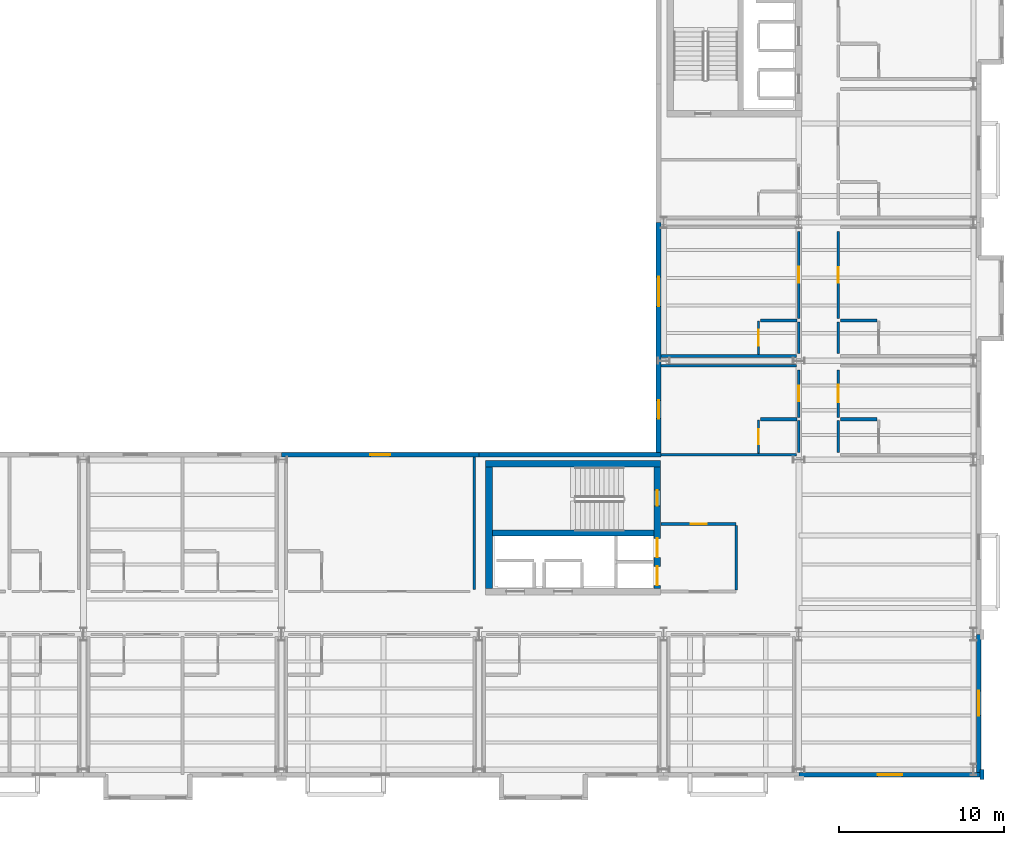
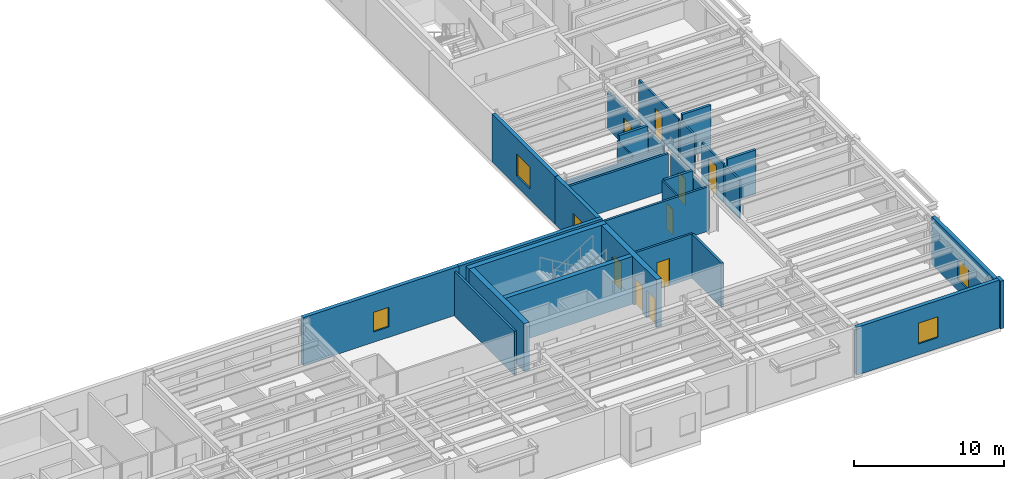
# One storey, part 48 of 59: 31 walls, 10 doors, 5 windows, 15 openings.
"""IFC4 building model written with IfcOpenShell, lengths in metres."""

from ifc_helpers import new_model, si_unit, direction, frame, frame_2d, origin, place, context, subcontext, project, spatial, rectangle, extrude, material, layer, layer_set, type_object, element, fill, save


model = new_model("IFC4")

# Units and contexts
model_context = context("Model", 3, precision=1e-05, world=origin(), true_north=direction((0.0, 1.0)))
body_context = subcontext(model_context, "Body", "Model", "MODEL_VIEW")
ifc_project = project(units=[si_unit("LENGTHUNIT", "METRE"), si_unit("AREAUNIT", "SQUARE_METRE"), si_unit("VOLUMEUNIT", "CUBIC_METRE"), si_unit("PLANEANGLEUNIT", "RADIAN"), si_unit("MASSUNIT", "GRAM", prefix="KILO")], contexts=[model_context])

# Site, building, storey
site_placement = place(None, origin())
site = spatial("IfcSite", under=ifc_project, at=site_placement, CompositionType="ELEMENT")
building_placement = place(site_placement, origin())
building = spatial("IfcBuilding", under=site, at=building_placement, Name="Sollismere Congress Hotel", CompositionType="ELEMENT")
storey_placement = place(building_placement, frame((0.0, 0.0, 15.60009765625)))
storey = spatial("IfcBuildingStorey", under=building, at=storey_placement, Name="L03", CompositionType="ELEMENT", Elevation=15.60009765625)

# Wall, opening, window
ifc_material_1 = material(Name="Colorado Buff Sandstone Rainscreen on Insulated Backup", Category="masonry")
ifc_layer_1 = layer(ifc_material_1, 0.284912109375, Name="Colorado Buff Sandstone Rainscreen on Insulated Backup")
ifc_layer_set_1 = layer_set([ifc_layer_1], Name="Colorado Buff Sandstone Rainscreen on Insulated Backup")
wall_type_1 = type_object("IfcWallType", Name="WL-EXT285", PredefinedType="STANDARD", material=ifc_layer_set_1)
wall_1_placement = place(storey_placement, frame((155.39990234375, -0.31005859375, 0.0), z_axis=(0.0, 0.0, 1.0), x_axis=(1.0, 0.0, 0.0)))
wall_1 = element("IfcWall", 1, at=wall_1_placement, inside=storey, type_object=wall_type_1, Name="Exterior wall EW-L03-431", PredefinedType="STANDARD", context=body_context, shape_type="SweptSolid", body=[
    extrude(rectangle(XDim=11.050048828125, YDim=0.284912109375, at=frame_2d((5.52490234375, 0.0))), origin(), (0.0, 0.0, 1.0), 3.89990234375),
])
opening_1_placement = place(wall_1_placement, frame((4.77490234375, 0.0, 0.8798828125)))
opening_1 = element("IfcOpeningElement", 2, at=opening_1_placement, cuts=wall_1, Name="Opening W-L03-336", PredefinedType="OPENING", context=body_context, shape_type="SweptSolid", body=[
    extrude(rectangle(XDim=1.5, YDim=1.699951171875, at=frame_2d((0.75, 0.85009765625))), frame((0.0, 0.15234375, 0.0), z_axis=(0.0, -1.0, 0.0), x_axis=(1.0, 0.0, 0.0)), (0.0, 0.0, 1.0), 0.304931640625),
])
ifc_material_2 = material(Name="Thermally Broken Bronze Aluminum & Low-E Glass", Category="aluminium")
window_type_1 = type_object("IfcWindowType", Name="WN-P150x170", PartitioningType="SINGLE_PANEL", PredefinedType="WINDOW", material=ifc_material_2)
window_1_placement = place(opening_1_placement, origin())
window_1 = element("IfcWindow", 3, at=window_1_placement, inside=storey, type_object=window_type_1, Name="WIN-W-L03-336", OverallHeight=1.699951171875, OverallWidth=1.5, PartitioningType="SINGLE_PANEL", PredefinedType="WINDOW", context=body_context, shape_type="SweptSolid", body=[
    extrude(rectangle(XDim=1.5, YDim=1.699951171875, at=frame_2d((0.75, 0.85009765625))), frame((0.0, 0.030029296875, 0.0), z_axis=(0.0, -1.0, 0.0), x_axis=(1.0, 0.0, 0.0)), (0.0, 0.0, 1.0), 0.06005859375),
])
fill(opening_1, window_1)

wall_2_placement = place(storey_placement, frame((166.31005859375, -0.16552734375, 0.0), z_axis=(0.0, 0.0, 1.0), x_axis=(0.0, 1.0, 0.0)))
wall_2 = element("IfcWall", 4, at=wall_2_placement, inside=storey, type_object=wall_type_1, Name="Exterior wall EW-L03-433", PredefinedType="STANDARD", context=body_context, shape_type="SweptSolid", body=[
    extrude(rectangle(XDim=8.365478515625, YDim=0.284912109375, at=frame_2d((4.1826171875, 0.0))), origin(), (0.0, 0.0, 1.0), 3.89990234375),
])
opening_2_placement = place(wall_2_placement, frame((3.4326171875, 0.0, 0.8798828125)))
opening_2 = element("IfcOpeningElement", 5, at=opening_2_placement, cuts=wall_2, Name="Opening W-L03-337", PredefinedType="OPENING", context=body_context, shape_type="SweptSolid", body=[
    extrude(rectangle(XDim=1.5, YDim=1.699951171875, at=frame_2d((0.75, 0.85009765625))), frame((0.0, 0.15234375, 0.0), z_axis=(0.0, -1.0, 0.0), x_axis=(1.0, 0.0, 0.0)), (0.0, 0.0, 1.0), 0.304931640625),
])
window_2_placement = place(opening_2_placement, origin())
window_2 = element("IfcWindow", 6, at=window_2_placement, inside=storey, type_object=window_type_1, Name="WIN-W-L03-337", OverallHeight=1.699951171875, OverallWidth=1.5, PartitioningType="SINGLE_PANEL", PredefinedType="WINDOW", context=body_context, shape_type="SweptSolid", body=[
    extrude(rectangle(XDim=1.5, YDim=1.699951171875, at=frame_2d((0.75, 0.85009765625))), frame((0.0, 0.030029296875, 0.0), z_axis=(0.0, -1.0, 0.0), x_axis=(1.0, 0.0, 0.0)), (0.0, 0.0, 1.0), 0.06005859375),
])
fill(opening_2, window_2)

wall_3_placement = place(storey_placement, frame((136.0, 19.110107421875, 0.0), z_axis=(0.0, 0.0, 1.0), x_axis=(-1.0, 0.0, 0.0)))
wall_3 = element("IfcWall", 7, at=wall_3_placement, inside=storey, type_object=wall_type_1, Name="Exterior wall EW-L03-465", PredefinedType="STANDARD", context=body_context, shape_type="SweptSolid", body=[
    extrude(rectangle(XDim=12.0, YDim=0.284912109375, at=frame_2d((6.0, 0.0))), origin(), (0.0, 0.0, 1.0), 3.89990234375),
])
opening_3_placement = place(wall_3_placement, frame((5.39990234375, 0.0, 0.85009765625)))
opening_3 = element("IfcOpeningElement", 8, at=opening_3_placement, cuts=wall_3, Name="Opening W-L03-357", PredefinedType="OPENING", context=body_context, shape_type="SweptSolid", body=[
    extrude(rectangle(XDim=1.199951171875, YDim=1.60009765625, at=frame_2d((0.60009765625, 0.800048828125))), frame((0.0, 0.15234375, 0.0), z_axis=(0.0, -1.0, 0.0), x_axis=(1.0, 0.0, 0.0)), (0.0, 0.0, 1.0), 0.304931640625),
])
window_type_2 = type_object("IfcWindowType", Name="WN-P120x160", PartitioningType="SINGLE_PANEL", PredefinedType="WINDOW", material=ifc_material_2)
window_3_placement = place(opening_3_placement, origin())
window_3 = element("IfcWindow", 9, at=window_3_placement, inside=storey, type_object=window_type_2, Name="WIN-W-L03-357", OverallHeight=1.60009765625, OverallWidth=1.199951171875, PartitioningType="SINGLE_PANEL", PredefinedType="WINDOW", context=body_context, shape_type="SweptSolid", body=[
    extrude(rectangle(XDim=1.199951171875, YDim=1.60009765625, at=frame_2d((0.60009765625, 0.800048828125))), frame((0.0, 0.030029296875, 0.0), z_axis=(0.0, -1.0, 0.0), x_axis=(1.0, 0.0, 0.0)), (0.0, 0.0, 1.0), 0.06005859375),
])
fill(opening_3, window_3)

# Wall
wall_4_placement = place(storey_placement, frame((147.030029296875, 19.110107421875, 0.0), z_axis=(0.0, 0.0, 1.0), x_axis=(-1.0, 0.0, 0.0)))
element("IfcWall", 10, at=wall_4_placement, inside=storey, type_object=wall_type_1, Name="Exterior wall EW-L03-466", PredefinedType="STANDARD", context=body_context, shape_type="SweptSolid", body=[
    extrude(rectangle(XDim=11.030029296875, YDim=0.284912109375, at=frame_2d((5.51513671875, 0.0))), origin(), (0.0, 0.0, 1.0), 3.89990234375),
])

# Wall, opening, window
wall_5_placement = place(storey_placement, frame((146.889892578125, 19.25439453125, 0.0), z_axis=(0.0, 0.0, 1.0), x_axis=(0.0, 1.0, 0.0)))
wall_5 = element("IfcWall", 11, at=wall_5_placement, inside=storey, type_object=wall_type_1, Name="Exterior wall EW-L03-467", PredefinedType="STANDARD", context=body_context, shape_type="SweptSolid", body=[
    extrude(rectangle(XDim=5.545654296875, YDim=0.284912109375, at=frame_2d((2.77294921875, 0.0))), origin(), (0.0, 0.0, 1.0), 3.89990234375),
])
opening_4_placement = place(wall_5_placement, frame((2.047607421875, 0.0, 0.85009765625)))
opening_4 = element("IfcOpeningElement", 12, at=opening_4_placement, cuts=wall_5, Name="Opening W-L03-358", PredefinedType="OPENING", context=body_context, shape_type="SweptSolid", body=[
    extrude(rectangle(XDim=1.10009765625, YDim=1.5, at=frame_2d((0.550048828125, 0.75))), frame((0.0, 0.15234375, 0.0), z_axis=(0.0, -1.0, 0.0), x_axis=(1.0, 0.0, 0.0)), (0.0, 0.0, 1.0), 0.304931640625),
])
window_type_3 = type_object("IfcWindowType", Name="WN-P110x150", PartitioningType="SINGLE_PANEL", PredefinedType="WINDOW", material=ifc_material_2)
window_4_placement = place(opening_4_placement, origin())
window_4 = element("IfcWindow", 13, at=window_4_placement, inside=storey, type_object=window_type_3, Name="WIN-W-L03-358", OverallHeight=1.5, OverallWidth=1.10009765625, PartitioningType="SINGLE_PANEL", PredefinedType="WINDOW", context=body_context, shape_type="SweptSolid", body=[
    extrude(rectangle(XDim=1.10009765625, YDim=1.5, at=frame_2d((0.550048828125, 0.75))), frame((0.0, 0.030029296875, 0.0), z_axis=(0.0, -1.0, 0.0), x_axis=(1.0, 0.0, 0.0)), (0.0, 0.0, 1.0), 0.06005859375),
])
fill(opening_4, window_4)

wall_6_placement = place(storey_placement, frame((146.889892578125, 24.800048828125, 0.0), z_axis=(0.0, 0.0, 1.0), x_axis=(0.0, 1.0, 0.0)))
wall_6 = element("IfcWall", 14, at=wall_6_placement, inside=storey, type_object=wall_type_1, Name="Exterior wall EW-L03-468", PredefinedType="STANDARD", context=body_context, shape_type="SweptSolid", body=[
    extrude(rectangle(XDim=8.39990234375, YDim=0.284912109375, at=frame_2d((4.199951171875, 0.0))), origin(), (0.0, 0.0, 1.0), 3.89990234375),
])
opening_5_placement = place(wall_6_placement, frame((3.300048828125, 0.0, 0.85009765625)))
opening_5 = element("IfcOpeningElement", 15, at=opening_5_placement, cuts=wall_6, Name="Opening W-L03-359", PredefinedType="OPENING", context=body_context, shape_type="SweptSolid", body=[
    extrude(rectangle(XDim=1.800048828125, YDim=1.800048828125, at=frame_2d((0.89990234375, 0.89990234375))), frame((0.0, 0.15234375, 0.0), z_axis=(0.0, -1.0, 0.0), x_axis=(1.0, 0.0, 0.0)), (0.0, 0.0, 1.0), 0.304931640625),
])
window_type_4 = type_object("IfcWindowType", Name="WN-P180x180", PartitioningType="SINGLE_PANEL", PredefinedType="WINDOW", material=ifc_material_2)
window_5_placement = place(opening_5_placement, origin())
window_5 = element("IfcWindow", 16, at=window_5_placement, inside=storey, type_object=window_type_4, Name="WIN-W-L03-359", OverallHeight=1.800048828125, OverallWidth=1.800048828125, PartitioningType="SINGLE_PANEL", PredefinedType="WINDOW", context=body_context, shape_type="SweptSolid", body=[
    extrude(rectangle(XDim=1.800048828125, YDim=1.800048828125, at=frame_2d((0.89990234375, 0.89990234375))), frame((0.0, 0.030029296875, 0.0), z_axis=(0.0, -1.0, 0.0), x_axis=(1.0, 0.0, 0.0)), (0.0, 0.0, 1.0), 0.06005859375),
])
fill(opening_5, window_5)

# Walls
ifc_material_3 = material(Name="Carved Travertine Pilaster & Frieze Assembly", Category="masonry")
ifc_layer_2 = layer(ifc_material_3, 0.260009765625, Name="Carved Travertine Pilaster & Frieze Assembly")
ifc_layer_set_2 = layer_set([ifc_layer_2], Name="Carved Travertine Pilaster & Frieze Assembly")
wall_type_2 = type_object("IfcWallType", Name="WL-PIL280", PredefinedType="ELEMENTEDWALL", material=ifc_layer_set_2)
wall_7_placement = place(storey_placement, frame((166.52001953125, -0.610107421875, 0.0), z_axis=(0.0, 0.0, 1.0), x_axis=(0.0, 1.0, 0.0)))
element("IfcWall", 17, at=wall_7_placement, inside=storey, type_object=wall_type_2, Name="Exterior wall EW-L03-434", PredefinedType="ELEMENTEDWALL", context=body_context, shape_type="SweptSolid", body=[
    extrude(rectangle(XDim=0.60009765625, YDim=0.260009765625, at=frame_2d((0.300048828125, 0.0))), origin(), (0.0, 0.0, 1.0), 3.89990234375),
])
ifc_material_4 = material(Name="Moisture-Resistant Shaft Gypsum Assembly")
ifc_layer_3 = layer(ifc_material_4, 0.199951171875, Name="Moisture-Resistant Shaft Gypsum Assembly")
ifc_layer_set_3 = layer_set([ifc_layer_3], Name="Moisture-Resistant Shaft Gypsum Assembly")
wall_type_3 = type_object("IfcWallType", Name="WL-PLM200", PredefinedType="PLUMBINGWALL", material=ifc_layer_set_3)
for number, where, z_axis, x_axis, name in (
    (18, (157.919921875, 21.25, 0.0), (0.0, 0.0, 1.0), (1.0, 0.0, 0.0), "Interior wall IW-L03-1375"),
    (19, (153.070068359375, 21.25, 0.0), (0.0, 0.0, 1.0), (1.0, 0.0, 0.0), "Interior wall IW-L03-1381"),
    (20, (157.919921875, 27.25, 0.0), (0.0, 0.0, 1.0), (1.0, 0.0, 0.0), "Interior wall IW-L03-1387"),
    (21, (153.070068359375, 27.25, 0.0), (0.0, 0.0, 1.0), (1.0, 0.0, 0.0), "Interior wall IW-L03-1393"),
):
    element("IfcWall", number, at=place(storey_placement, frame(where, z_axis=z_axis, x_axis=x_axis)), inside=storey, type_object=wall_type_3, Name=name, PredefinedType="PLUMBINGWALL", context=body_context, shape_type="SweptSolid", body=[
        extrude(rectangle(XDim=2.2099609375, YDim=0.199951171875, at=frame_2d((1.10498046875, 0.0))), origin(), (0.0, 0.0, 1.0), 3.599853515625),
    ])

# Wall, opening, door
ifc_material_5 = material(Name="Moisture-Resistant Gypsum Partition")
ifc_layer_4 = layer(ifc_material_5, 0.10009765625, Name="Moisture-Resistant Gypsum Partition")
ifc_layer_set_4 = layer_set([ifc_layer_4], Name="Moisture-Resistant Gypsum Partition")
wall_type_4 = type_object("IfcWallType", Name="WL-PRT100", PredefinedType="PARTITIONING", material=ifc_layer_set_4)
wall_8_placement = place(storey_placement, frame((152.949951171875, 19.194580078125, 0.0), z_axis=(0.0, 0.0, 1.0), x_axis=(0.0, 1.0, 0.0)))
wall_8 = element("IfcWall", 22, at=wall_8_placement, inside=storey, type_object=wall_type_4, Name="Interior wall IW-L03-1382", PredefinedType="PARTITIONING", context=body_context, shape_type="SweptSolid", body=[
    extrude(rectangle(XDim=2.015380859375, YDim=0.10009765625, at=frame_2d((1.0078125, 0.0))), origin(), (0.0, 0.0, 1.0), 3.599853515625),
])
opening_6_placement = place(wall_8_placement, frame((0.554931640625, 0.0, 0.0)))
opening_6 = element("IfcOpeningElement", 23, at=opening_6_placement, cuts=wall_8, Name="Opening D-L03-0488", PredefinedType="OPENING", context=body_context, shape_type="SweptSolid", body=[
    extrude(rectangle(XDim=0.905029296875, YDim=2.10009765625, at=frame_2d((0.45263671875, 1.050048828125))), frame((0.0, 0.06005859375, 0.0), z_axis=(0.0, -1.0, 0.0), x_axis=(1.0, 0.0, 0.0)), (0.0, 0.0, 1.0), 0.1201171875),
])
ifc_material_6 = material(Name="Moisture-Sealed Timber Bathroom Door", Category="wood")
door_type_1 = type_object("IfcDoorType", Name="DR-BT02", OperationType="NOTDEFINED", PredefinedType="DOOR", material=ifc_material_6)
door_1_placement = place(opening_6_placement, origin())
door_1 = element("IfcDoor", 24, at=door_1_placement, inside=storey, type_object=door_type_1, Name="En-suite bathroom door D-L03-0488", OperationType="SINGLE_SWING_LEFT", OverallHeight=2.10009765625, OverallWidth=0.905029296875, PredefinedType="DOOR", context=body_context, shape_type="SweptSolid", body=[
    extrude(rectangle(XDim=0.905029296875, YDim=2.10009765625, at=frame_2d((0.45263671875, 1.050048828125))), frame((0.0, 0.02490234375, 0.0), z_axis=(0.0, -1.0, 0.0), x_axis=(1.0, 0.0, 0.0)), (0.0, 0.0, 1.0), 0.050048828125),
])
fill(opening_6, door_1)

wall_9_placement = place(storey_placement, frame((152.949951171875, 25.194580078125, 0.0), z_axis=(0.0, 0.0, 1.0), x_axis=(0.0, 1.0, 0.0)))
wall_9 = element("IfcWall", 25, at=wall_9_placement, inside=storey, type_object=wall_type_4, Name="Interior wall IW-L03-1394", PredefinedType="PARTITIONING", context=body_context, shape_type="SweptSolid", body=[
    extrude(rectangle(XDim=2.015380859375, YDim=0.10009765625, at=frame_2d((1.0078125, 0.0))), origin(), (0.0, 0.0, 1.0), 3.2080078125),
])
opening_7_placement = place(wall_9_placement, frame((0.530029296875, 0.0, 0.0)))
opening_7 = element("IfcOpeningElement", 26, at=opening_7_placement, cuts=wall_9, Name="Opening D-L03-0492", PredefinedType="OPENING", context=body_context, shape_type="SweptSolid", body=[
    extrude(rectangle(XDim=0.955078125, YDim=2.139892578125, at=frame_2d((0.4775390625, 1.06982421875))), frame((0.0, 0.06005859375, 0.0), z_axis=(0.0, -1.0, 0.0), x_axis=(1.0, 0.0, 0.0)), (0.0, 0.0, 1.0), 0.1201171875),
])
door_type_2 = type_object("IfcDoorType", Name="DR-BT04", OperationType="NOTDEFINED", PredefinedType="DOOR", material=ifc_material_6)
door_2_placement = place(opening_7_placement, origin())
door_2 = element("IfcDoor", 27, at=door_2_placement, inside=storey, type_object=door_type_2, Name="En-suite bathroom door D-L03-0492", OperationType="SINGLE_SWING_LEFT", OverallHeight=2.139892578125, OverallWidth=0.955078125, PredefinedType="DOOR", context=body_context, shape_type="SweptSolid", body=[
    extrude(rectangle(XDim=0.955078125, YDim=2.139892578125, at=frame_2d((0.4775390625, 1.06982421875))), frame((0.0, 0.02490234375, 0.0), z_axis=(0.0, -1.0, 0.0), x_axis=(1.0, 0.0, 0.0)), (0.0, 0.0, 1.0), 0.050048828125),
])
fill(opening_7, door_2)

# Wall
ifc_material_7 = material(Name="Fire-Rated Gypsum Partition")
ifc_layer_5 = layer(ifc_material_7, 0.139892578125, Name="Fire-Rated Gypsum Partition")
ifc_layer_set_5 = layer_set([ifc_layer_5], Name="Fire-Rated Gypsum Partition")
wall_type_5 = type_object("IfcWallType", Name="WL-PRT140R", PredefinedType="PARTITIONING", material=ifc_layer_set_5)
wall_10_placement = place(storey_placement, frame((157.800048828125, 19.239990234375, 0.0), z_axis=(0.0, 0.0, 1.0), x_axis=(0.0, 1.0, 0.0)))
element("IfcWall", 28, at=wall_10_placement, inside=storey, type_object=wall_type_5, Name="Interior wall IW-L03-1371", PredefinedType="PARTITIONING", context=body_context, shape_type="SweptSolid", body=[
    extrude(rectangle(XDim=1.929931640625, YDim=0.139892578125, at=frame_2d((0.96484375, 0.0))), origin(), (0.0, 0.0, 1.0), 3.157958984375),
])

# Wall, opening, door
wall_11_placement = place(storey_placement, frame((157.800048828125, 21.3701171875, 0.0), z_axis=(0.0, 0.0, 1.0), x_axis=(0.0, 1.0, 0.0)))
wall_11 = element("IfcWall", 29, at=wall_11_placement, inside=storey, type_object=wall_type_5, Name="Interior wall IW-L03-1372", PredefinedType="PARTITIONING", context=body_context, shape_type="SweptSolid", body=[
    extrude(rectangle(XDim=2.889892578125, YDim=0.139892578125, at=frame_2d((1.44482421875, 0.0))), origin(), (0.0, 0.0, 1.0), 3.157958984375),
])
opening_8_placement = place(wall_11_placement, frame((0.909912109375, 0.0, 0.0)))
opening_8 = element("IfcOpeningElement", 30, at=opening_8_placement, cuts=wall_11, Name="Opening D-L03-0485", PredefinedType="OPENING", context=body_context, shape_type="SweptSolid", body=[
    extrude(rectangle(XDim=1.070068359375, YDim=2.39990234375, at=frame_2d((0.53515625, 1.199951171875))), frame((0.0, 0.079833984375, 0.0), z_axis=(0.0, -1.0, 0.0), x_axis=(1.0, 0.0, 0.0)), (0.0, 0.0, 1.0), 0.159912109375),
])
ifc_material_8 = material(Name="Solid-Core Acoustic Walnut Guestroom Entry Door")
door_type_3 = type_object("IfcDoorType", Name="DR-KY12", OperationType="NOTDEFINED", PredefinedType="DOOR", material=ifc_material_8)
door_3_placement = place(opening_8_placement, origin())
door_3 = element("IfcDoor", 31, at=door_3_placement, inside=storey, type_object=door_type_3, Name="Hotel room entry door D-L03-0485", OperationType="SINGLE_SWING_RIGHT", OverallHeight=2.39990234375, OverallWidth=1.070068359375, PredefinedType="DOOR", context=body_context, shape_type="SweptSolid", body=[
    extrude(rectangle(XDim=1.070068359375, YDim=2.39990234375, at=frame_2d((0.53515625, 1.199951171875))), frame((0.0, 0.02490234375, 0.0), z_axis=(0.0, -1.0, 0.0), x_axis=(1.0, 0.0, 0.0)), (0.0, 0.0, 1.0), 0.050048828125),
])
fill(opening_8, door_3)

# Wall
wall_12_placement = place(storey_placement, frame((155.39990234375, 19.239990234375, 0.0), z_axis=(0.0, 0.0, 1.0), x_axis=(0.0, 1.0, 0.0)))
element("IfcWall", 32, at=wall_12_placement, inside=storey, type_object=wall_type_5, Name="Interior wall IW-L03-1377", PredefinedType="PARTITIONING", context=body_context, shape_type="SweptSolid", body=[
    extrude(rectangle(XDim=1.929931640625, YDim=0.139892578125, at=frame_2d((0.96484375, 0.0))), origin(), (0.0, 0.0, 1.0), 3.073974609375),
])

# Wall, opening, door
wall_13_placement = place(storey_placement, frame((155.39990234375, 21.3701171875, 0.0), z_axis=(0.0, 0.0, 1.0), x_axis=(0.0, 1.0, 0.0)))
wall_13 = element("IfcWall", 33, at=wall_13_placement, inside=storey, type_object=wall_type_5, Name="Interior wall IW-L03-1378", PredefinedType="PARTITIONING", context=body_context, shape_type="SweptSolid", body=[
    extrude(rectangle(XDim=2.889892578125, YDim=0.139892578125, at=frame_2d((1.44482421875, 0.0))), origin(), (0.0, 0.0, 1.0), 3.073974609375),
])
opening_9_placement = place(wall_13_placement, frame((0.985107421875, 0.0, 0.0)))
opening_9 = element("IfcOpeningElement", 34, at=opening_9_placement, cuts=wall_13, Name="Opening D-L03-0487", PredefinedType="OPENING", context=body_context, shape_type="SweptSolid", body=[
    extrude(rectangle(XDim=0.919921875, YDim=2.14990234375, at=frame_2d((0.4599609375, 1.074951171875))), frame((0.0, 0.079833984375, 0.0), z_axis=(0.0, -1.0, 0.0), x_axis=(1.0, 0.0, 0.0)), (0.0, 0.0, 1.0), 0.159912109375),
])
door_type_4 = type_object("IfcDoorType", Name="DR-KY01", OperationType="NOTDEFINED", PredefinedType="DOOR", material=ifc_material_8)
door_4_placement = place(opening_9_placement, origin())
door_4 = element("IfcDoor", 35, at=door_4_placement, inside=storey, type_object=door_type_4, Name="Hotel room entry door D-L03-0487", OperationType="SINGLE_SWING_RIGHT", OverallHeight=2.14990234375, OverallWidth=0.919921875, PredefinedType="DOOR", context=body_context, shape_type="SweptSolid", body=[
    extrude(rectangle(XDim=0.919921875, YDim=2.14990234375, at=frame_2d((0.4599609375, 1.074951171875))), frame((0.0, 0.02490234375, 0.0), z_axis=(0.0, -1.0, 0.0), x_axis=(1.0, 0.0, 0.0)), (0.0, 0.0, 1.0), 0.050048828125),
])
fill(opening_9, door_4)

# Wall
wall_14_placement = place(storey_placement, frame((157.800048828125, 25.239990234375, 0.0), z_axis=(0.0, 0.0, 1.0), x_axis=(0.0, 1.0, 0.0)))
element("IfcWall", 36, at=wall_14_placement, inside=storey, type_object=wall_type_5, Name="Interior wall IW-L03-1383", PredefinedType="PARTITIONING", context=body_context, shape_type="SweptSolid", body=[
    extrude(rectangle(XDim=1.929931640625, YDim=0.139892578125, at=frame_2d((0.96484375, 0.0))), origin(), (0.0, 0.0, 1.0), 3.157958984375),
])

# Wall, opening, door
wall_15_placement = place(storey_placement, frame((157.800048828125, 27.3701171875, 0.0), z_axis=(0.0, 0.0, 1.0), x_axis=(0.0, 1.0, 0.0)))
wall_15 = element("IfcWall", 37, at=wall_15_placement, inside=storey, type_object=wall_type_5, Name="Interior wall IW-L03-1384", PredefinedType="PARTITIONING", context=body_context, shape_type="SweptSolid", body=[
    extrude(rectangle(XDim=5.289794921875, YDim=0.139892578125, at=frame_2d((2.64501953125, 0.0))), origin(), (0.0, 0.0, 1.0), 3.157958984375),
])
opening_10_placement = place(wall_15_placement, frame((2.169921875, 0.0, 0.0)))
opening_10 = element("IfcOpeningElement", 38, at=opening_10_placement, cuts=wall_15, Name="Opening D-L03-0489", PredefinedType="OPENING", context=body_context, shape_type="SweptSolid", body=[
    extrude(rectangle(XDim=0.949951171875, YDim=2.14990234375, at=frame_2d((0.47509765625, 1.074951171875))), frame((0.0, 0.079833984375, 0.0), z_axis=(0.0, -1.0, 0.0), x_axis=(1.0, 0.0, 0.0)), (0.0, 0.0, 1.0), 0.159912109375),
])
door_type_5 = type_object("IfcDoorType", Name="DR-KY02", OperationType="NOTDEFINED", PredefinedType="DOOR", material=ifc_material_8)
door_5_placement = place(opening_10_placement, origin())
door_5 = element("IfcDoor", 39, at=door_5_placement, inside=storey, type_object=door_type_5, Name="Hotel room entry door D-L03-0489", OperationType="SINGLE_SWING_RIGHT", OverallHeight=2.14990234375, OverallWidth=0.949951171875, PredefinedType="DOOR", context=body_context, shape_type="SweptSolid", body=[
    extrude(rectangle(XDim=0.949951171875, YDim=2.14990234375, at=frame_2d((0.47509765625, 1.074951171875))), frame((0.0, 0.02490234375, 0.0), z_axis=(0.0, -1.0, 0.0), x_axis=(1.0, 0.0, 0.0)), (0.0, 0.0, 1.0), 0.050048828125),
])
fill(opening_10, door_5)

# Wall
wall_16_placement = place(storey_placement, frame((155.39990234375, 25.239990234375, 0.0), z_axis=(0.0, 0.0, 1.0), x_axis=(0.0, 1.0, 0.0)))
element("IfcWall", 40, at=wall_16_placement, inside=storey, type_object=wall_type_5, Name="Interior wall IW-L03-1389", PredefinedType="PARTITIONING", context=body_context, shape_type="SweptSolid", body=[
    extrude(rectangle(XDim=1.929931640625, YDim=0.139892578125, at=frame_2d((0.96484375, 0.0))), origin(), (0.0, 0.0, 1.0), 3.073974609375),
])

# Wall, opening, door
wall_17_placement = place(storey_placement, frame((155.39990234375, 27.3701171875, 0.0), z_axis=(0.0, 0.0, 1.0), x_axis=(0.0, 1.0, 0.0)))
wall_17 = element("IfcWall", 41, at=wall_17_placement, inside=storey, type_object=wall_type_5, Name="Interior wall IW-L03-1390", PredefinedType="PARTITIONING", context=body_context, shape_type="SweptSolid", body=[
    extrude(rectangle(XDim=5.289794921875, YDim=0.139892578125, at=frame_2d((2.64501953125, 0.0))), origin(), (0.0, 0.0, 1.0), 3.073974609375),
])
opening_11_placement = place(wall_17_placement, frame((2.155029296875, 0.0, 0.0)))
opening_11 = element("IfcOpeningElement", 42, at=opening_11_placement, cuts=wall_17, Name="Opening D-L03-0491", PredefinedType="OPENING", context=body_context, shape_type="SweptSolid", body=[
    extrude(rectangle(XDim=0.97998046875, YDim=2.199951171875, at=frame_2d((0.489990234375, 1.10009765625))), frame((0.0, 0.079833984375, 0.0), z_axis=(0.0, -1.0, 0.0), x_axis=(1.0, 0.0, 0.0)), (0.0, 0.0, 1.0), 0.159912109375),
])
door_type_6 = type_object("IfcDoorType", Name="DR-KY03", OperationType="NOTDEFINED", PredefinedType="DOOR", material=ifc_material_8)
door_6_placement = place(opening_11_placement, origin())
door_6 = element("IfcDoor", 43, at=door_6_placement, inside=storey, type_object=door_type_6, Name="Hotel room entry door D-L03-0491", OperationType="SINGLE_SWING_RIGHT", OverallHeight=2.199951171875, OverallWidth=0.97998046875, PredefinedType="DOOR", context=body_context, shape_type="SweptSolid", body=[
    extrude(rectangle(XDim=0.97998046875, YDim=2.199951171875, at=frame_2d((0.489990234375, 1.10009765625))), frame((0.0, 0.02490234375, 0.0), z_axis=(0.0, -1.0, 0.0), x_axis=(1.0, 0.0, 0.0)), (0.0, 0.0, 1.0), 0.050048828125),
])
fill(opening_11, door_6)

ifc_material_9 = material(Name="Fire-Rated Acoustic Gypsum Partition")
ifc_layer_6 = layer(ifc_material_9, 0.1650390625, Name="Fire-Rated Acoustic Gypsum Partition")
ifc_layer_set_6 = layer_set([ifc_layer_6], Name="Fire-Rated Acoustic Gypsum Partition")
wall_type_6 = type_object("IfcWallType", Name="WL-PRT165R", PredefinedType="PARTITIONING", material=ifc_layer_set_6)
wall_18_placement = place(storey_placement, frame((147.050048828125, 14.89990234375, 0.0), z_axis=(0.0, 0.0, 1.0), x_axis=(1.0, 0.0, 0.0)))
wall_18 = element("IfcWall", 44, at=wall_18_placement, inside=storey, type_object=wall_type_6, Name="Interior wall IW-L03-0079", PredefinedType="PARTITIONING", context=body_context, shape_type="SweptSolid", body=[
    extrude(rectangle(XDim=4.550048828125, YDim=0.1650390625, at=frame_2d((2.27490234375, 0.0))), origin(), (0.0, 0.0, 1.0), 3.599853515625),
])
opening_12_placement = place(wall_18_placement, frame((1.800048828125, 0.0, 0.0)))
opening_12 = element("IfcOpeningElement", 45, at=opening_12_placement, cuts=wall_18, Name="Opening D-FFS-L03", PredefinedType="OPENING", context=body_context, shape_type="SweptSolid", body=[
    extrude(rectangle(XDim=0.949951171875, YDim=2.199951171875, at=frame_2d((0.47509765625, 1.10009765625))), frame((0.0, 0.092529296875, 0.0), z_axis=(0.0, -1.0, 0.0), x_axis=(1.0, 0.0, 0.0)), (0.0, 0.0, 1.0), 0.18505859375),
])
ifc_material_10 = material(Name="Fire-Rated Insulated Steel Door", Category="steel")
door_type_7 = type_object("IfcDoorType", Name="DR-FD90", OperationType="NOTDEFINED", PredefinedType="DOOR", material=ifc_material_10)
door_7_placement = place(opening_12_placement, origin())
door_7 = element("IfcDoor", 46, at=door_7_placement, inside=storey, type_object=door_type_7, Name="Firefighting stair vestibule door D-FFS-L03", OperationType="SINGLE_SWING_LEFT", OverallHeight=2.199951171875, OverallWidth=0.949951171875, PredefinedType="DOOR", context=body_context, shape_type="SweptSolid", body=[
    extrude(rectangle(XDim=0.949951171875, YDim=2.199951171875, at=frame_2d((0.47509765625, 1.10009765625))), frame((0.0, 0.02490234375, 0.0), z_axis=(0.0, -1.0, 0.0), x_axis=(1.0, 0.0, 0.0)), (0.0, 0.0, 1.0), 0.050048828125),
])
fill(opening_12, door_7)

# Walls
wall_19_placement = place(storey_placement, frame((151.60009765625, 10.89453125, 0.0), z_axis=(0.0, 0.0, 1.0), x_axis=(0.0, 1.0, 0.0)))
element("IfcWall", 47, at=wall_19_placement, inside=storey, type_object=wall_type_6, Name="Interior wall IW-L03-0080", PredefinedType="PARTITIONING", context=body_context, shape_type="SweptSolid", body=[
    extrude(rectangle(XDim=3.910888671875, YDim=0.1650390625, at=frame_2d((1.95556640625, 0.0))), origin(), (0.0, 0.0, 1.0), 3.599853515625),
])
wall_20_placement = place(storey_placement, frame((135.699951171875, 10.93994140625, 0.0), z_axis=(0.0, 0.0, 1.0), x_axis=(0.0, 1.0, 0.0)))
element("IfcWall", 48, at=wall_20_placement, inside=storey, type_object=wall_type_6, Name="Interior wall IW-L03-1356", PredefinedType="PARTITIONING", context=body_context, shape_type="SweptSolid", body=[
    extrude(rectangle(XDim=8.012451171875, YDim=0.1650390625, at=frame_2d((4.00634765625, 0.0))), origin(), (0.0, 0.0, 1.0), 3.599853515625),
])
wall_21_placement = place(storey_placement, frame((147.0400390625, 19.10009765625, 0.0), z_axis=(0.0, 0.0, 1.0), x_axis=(1.0, 0.0, 0.0)))
element("IfcWall", 49, at=wall_21_placement, inside=storey, type_object=wall_type_6, Name="Interior wall IW-L03-1379", PredefinedType="PARTITIONING", context=body_context, shape_type="SweptSolid", body=[
    extrude(rectangle(XDim=8.219970703125, YDim=0.1650390625, at=frame_2d((4.10986328125, 0.0))), origin(), (0.0, 0.0, 1.0), 3.599853515625),
])
for number, where, z_axis, x_axis, name in (
    (50, (147.047607421875, 24.5, 0.0), (0.0, 0.0, 1.0), (1.0, 0.0, 0.0), "Interior wall IW-L03-1380"),
    (51, (147.047607421875, 25.10009765625, 0.0), (0.0, 0.0, 1.0), (1.0, 0.0, 0.0), "Interior wall IW-L03-1391"),
):
    element("IfcWall", number, at=place(storey_placement, frame(where, z_axis=z_axis, x_axis=x_axis)), inside=storey, type_object=wall_type_6, Name=name, PredefinedType="PARTITIONING", context=body_context, shape_type="SweptSolid", body=[
        extrude(rectangle(XDim=8.21240234375, YDim=0.1650390625, at=frame_2d((4.106201171875, 0.0))), origin(), (0.0, 0.0, 1.0), 3.012939453125),
    ])
ifc_material_11 = material(Name="Concrete C50/60", Category="concrete")
ifc_layer_7 = layer(ifc_material_11, 0.35009765625, Name="Concrete C50/60")
ifc_layer_set_7 = layer_set([ifc_layer_7], Name="Concrete C50/60")
wall_type_7 = type_object("IfcWallType", Name="WL-SHR350", PredefinedType="SHEAR", material=ifc_layer_set_7)
wall_22_placement = place(storey_placement, frame((136.800048828125, 14.35009765625, 0.0), z_axis=(0.0, 0.0, 1.0), x_axis=(1.0, 0.0, 0.0)))
element("IfcWall", 52, at=wall_22_placement, inside=storey, type_object=wall_type_7, Name="Interior wall IW-L03-0069", PredefinedType="SHEAR", context=body_context, shape_type="SweptSolid", body=[
    extrude(rectangle(XDim=9.800048828125, YDim=0.35009765625, at=frame_2d((4.89990234375, 0.0))), origin(), (0.0, 0.0, 1.0), 3.89990234375),
])
ifc_layer_8 = layer(ifc_material_11, 0.39990234375, Name="Concrete C50/60")
ifc_layer_set_8 = layer_set([ifc_layer_8], Name="Concrete C50/60")
wall_type_8 = type_object("IfcWallType", Name="WL-SHR400", PredefinedType="SHEAR", material=ifc_layer_set_8)
wall_23_placement = place(storey_placement, frame((147.0, 18.550048828125, 0.0), z_axis=(0.0, 0.0, 1.0), x_axis=(-1.0, 0.0, 0.0)))
element("IfcWall", 53, at=wall_23_placement, inside=storey, type_object=wall_type_8, Name="Interior wall IW-L03-0066", PredefinedType="SHEAR", context=body_context, shape_type="SweptSolid", body=[
    extrude(rectangle(XDim=10.60009765625, YDim=0.39990234375, at=frame_2d((5.300048828125, 0.0))), origin(), (0.0, 0.0, 1.0), 3.89990234375),
])
wall_24_placement = place(storey_placement, frame((136.60009765625, 18.35009765625, 0.0), z_axis=(0.0, 0.0, 1.0), x_axis=(0.0, -1.0, 0.0)))
element("IfcWall", 54, at=wall_24_placement, inside=storey, type_object=wall_type_8, Name="Interior wall IW-L03-0067", PredefinedType="SHEAR", context=body_context, shape_type="SweptSolid", body=[
    extrude(rectangle(XDim=7.35009765625, YDim=0.39990234375, at=frame_2d((3.675048828125, 0.0))), origin(), (0.0, 0.0, 1.0), 3.89990234375),
])

# Wall, openings, doors
wall_25_placement = place(storey_placement, frame((146.800048828125, 11.0, 0.0), z_axis=(0.0, 0.0, 1.0), x_axis=(0.0, 1.0, 0.0)))
wall_25 = element("IfcWall", 55, at=wall_25_placement, inside=storey, type_object=wall_type_8, Name="Interior wall IW-L03-0068", PredefinedType="SHEAR", context=body_context, shape_type="SweptSolid", body=[
    extrude(rectangle(XDim=7.35009765625, YDim=0.39990234375, at=frame_2d((3.675048828125, 0.0))), origin(), (0.0, 0.0, 1.0), 3.89990234375),
])
opening_13_placement = place(wall_25_placement, frame((5.0, 0.0, 0.0)))
opening_13 = element("IfcOpeningElement", 56, at=opening_13_placement, cuts=wall_25, Name="Opening D-ST-01-L03", PredefinedType="OPENING", context=body_context, shape_type="SweptSolid", body=[
    extrude(rectangle(XDim=0.949951171875, YDim=2.199951171875, at=frame_2d((0.47509765625, 1.10009765625))), frame((0.0, 0.2099609375, 0.0), z_axis=(0.0, -1.0, 0.0), x_axis=(1.0, 0.0, 0.0)), (0.0, 0.0, 1.0), 0.419921875),
])
opening_14_placement = place(wall_25_placement, frame((0.175048828125, 0.0, 0.0)))
opening_14 = element("IfcOpeningElement", 57, at=opening_14_placement, cuts=wall_25, Name="Opening LD-FL-01-L03", PredefinedType="OPENING", context=body_context, shape_type="SweptSolid", body=[
    extrude(rectangle(XDim=1.14990234375, YDim=2.25, at=frame_2d((0.574951171875, 1.125))), frame((0.0, 0.2099609375, 0.0), z_axis=(0.0, -1.0, 0.0), x_axis=(1.0, 0.0, 0.0)), (0.0, 0.0, 1.0), 0.419921875),
])
opening_15_placement = place(wall_25_placement, frame((1.875, 0.0, 0.0)))
opening_15 = element("IfcOpeningElement", 58, at=opening_15_placement, cuts=wall_25, Name="Opening LD-FL-02-L03", PredefinedType="OPENING", context=body_context, shape_type="SweptSolid", body=[
    extrude(rectangle(XDim=1.14990234375, YDim=2.25, at=frame_2d((0.574951171875, 1.125))), frame((0.0, 0.2099609375, 0.0), z_axis=(0.0, -1.0, 0.0), x_axis=(1.0, 0.0, 0.0)), (0.0, 0.0, 1.0), 0.419921875),
])
door_8_placement = place(opening_13_placement, origin())
door_8 = element("IfcDoor", 59, at=door_8_placement, inside=storey, type_object=door_type_7, Name="Exit stair fire door D-ST-01-L03", OperationType="SINGLE_SWING_LEFT", OverallHeight=2.199951171875, OverallWidth=0.949951171875, PredefinedType="DOOR", context=body_context, shape_type="SweptSolid", body=[
    extrude(rectangle(XDim=0.949951171875, YDim=2.199951171875, at=frame_2d((0.47509765625, 1.10009765625))), frame((0.0, 0.02490234375, 0.0), z_axis=(0.0, -1.0, 0.0), x_axis=(1.0, 0.0, 0.0)), (0.0, 0.0, 1.0), 0.050048828125),
])
fill(opening_13, door_8)
ifc_material_12 = material(Name="Stainless Steel Sliding Elevator Landing Door", Category="steel")
door_type_8 = type_object("IfcDoorType", Name="DR-LD115", OperationType="NOTDEFINED", PredefinedType="DOOR", material=ifc_material_12)
door_9_placement = place(opening_14_placement, origin())
door_9 = element("IfcDoor", 60, at=door_9_placement, inside=storey, type_object=door_type_8, Name="Elevator landing door LD-FL-01-L03", OperationType="SLIDING_TO_LEFT", OverallHeight=2.25, OverallWidth=1.14990234375, PredefinedType="DOOR", context=body_context, shape_type="SweptSolid", body=[
    extrude(rectangle(XDim=1.14990234375, YDim=2.25, at=frame_2d((0.574951171875, 1.125))), frame((0.0, 0.02490234375, 0.0), z_axis=(0.0, -1.0, 0.0), x_axis=(1.0, 0.0, 0.0)), (0.0, 0.0, 1.0), 0.050048828125),
])
fill(opening_14, door_9)
door_10_placement = place(opening_15_placement, origin())
door_10 = element("IfcDoor", 61, at=door_10_placement, inside=storey, type_object=door_type_8, Name="Elevator landing door LD-FL-02-L03", OperationType="SLIDING_TO_RIGHT", OverallHeight=2.25, OverallWidth=1.14990234375, PredefinedType="DOOR", context=body_context, shape_type="SweptSolid", body=[
    extrude(rectangle(XDim=1.14990234375, YDim=2.25, at=frame_2d((0.574951171875, 1.125))), frame((0.0, 0.02490234375, 0.0), z_axis=(0.0, -1.0, 0.0), x_axis=(1.0, 0.0, 0.0)), (0.0, 0.0, 1.0), 0.050048828125),
])
fill(opening_15, door_10)

save(model, "model.ifc")
